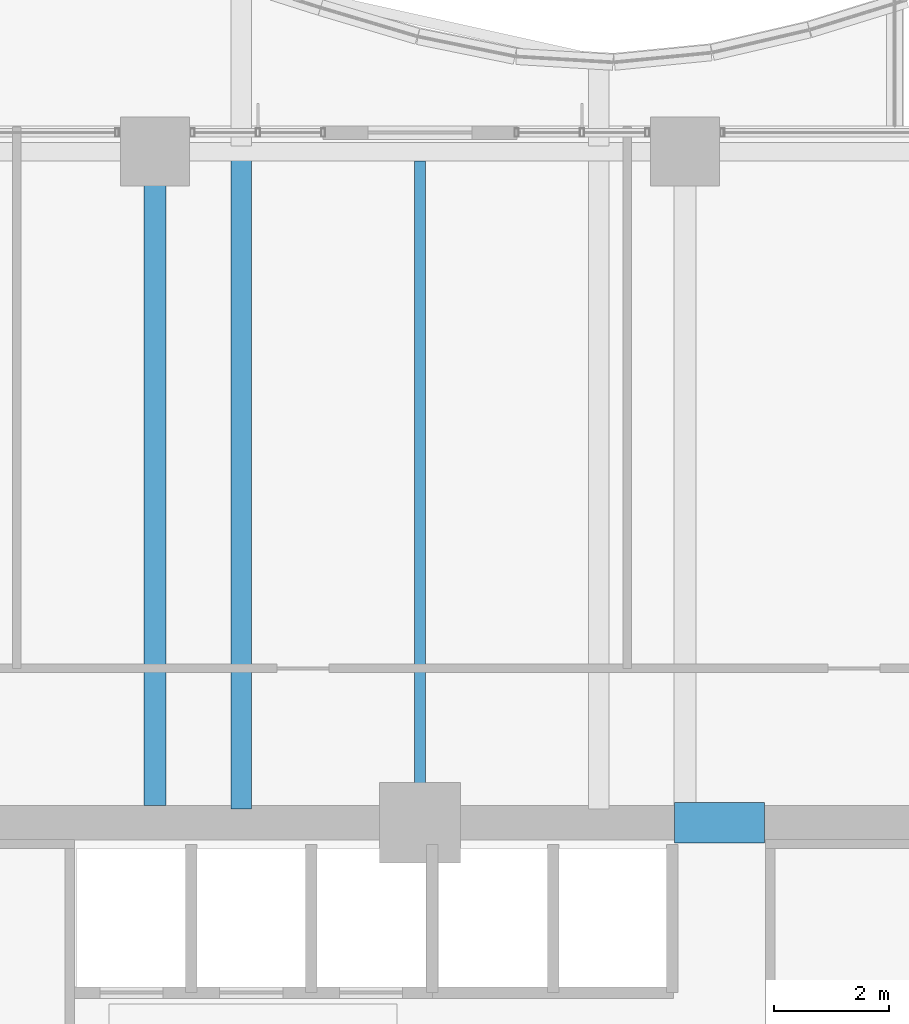
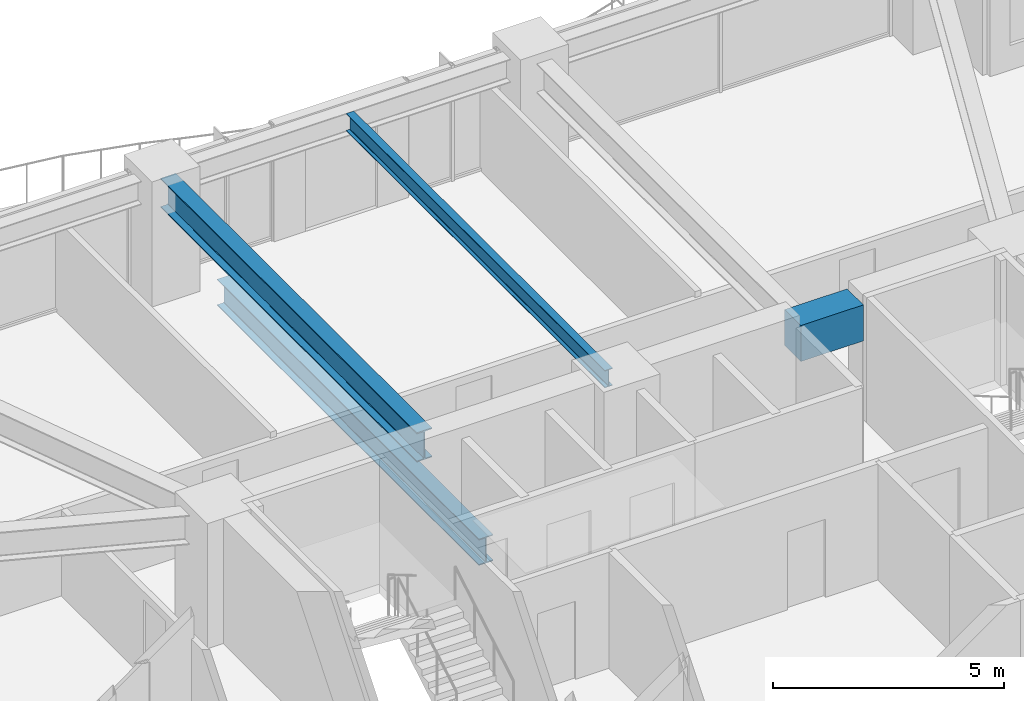
# One storey, part 20 of 38: 4 beams.
"""IFC4 building model written with IfcOpenShell, lengths in metres."""

import ifcopenshell
import ifcopenshell.guid

model = None  # the IFC model being written
_history = None  # IfcOwnerHistory: only IFC2X3 demands one
_inside = {}  # id of a spatial element -> (the spatial element, [elements in it])
_under = {}  # id of a project, library or spatial element -> (it, [spatial elements below it])
_declared = {}  # id of a project -> (the project, [libraries it declares])
_typed = {}  # id of a type object -> (the type object, [elements of that type])
_made_of = {}  # id of a material, layer set ... -> (it, [elements and type objects made of it])


def new_model(schema):
    """Start an empty IFC model of exactly this schema.

    Asked for "IFC4X3", IfcOpenShell would pick the latest addendum, in which some entities
    have other attributes; the version numbers below select the first issue.
    IFC2X3 requires an IfcOwnerHistory on every rooted entity: one is made here for all.
    """
    global model, _history
    if schema == "IFC4X3":
        model = ifcopenshell.file(schema_version=(4, 3, 0, 0))
    else:
        model = ifcopenshell.file(schema=schema)
    _inside.clear()
    _under.clear()
    _declared.clear()
    _typed.clear()
    _made_of.clear()
    _history = None
    if model.schema == "IFC2X3":
        org = make("IfcOrganization", Name="unknown")
        user = make(
            "IfcPersonAndOrganization",
            ThePerson=make("IfcPerson", FamilyName="unknown"),
            TheOrganization=org,
        )
        app = make(
            "IfcApplication",
            ApplicationDeveloper=org,
            Version="unknown",
            ApplicationFullName="unknown",
            ApplicationIdentifier="unknown",
        )
        _history = make(
            "IfcOwnerHistory",
            OwningUser=user,
            OwningApplication=app,
            ChangeAction="ADDED",
            CreationDate=0,
        )
    return model


def make(cls, **values):
    """One entity of the class cls with the attributes given. An attribute that is None is left unset."""
    return model.create_entity(
        cls, **{name: value for name, value in values.items() if value is not None}
    )


def rooted(cls, **values):
    """An entity with a GlobalId (a new one), such as an element, a storey or a relation."""
    return make(cls, GlobalId=ifcopenshell.guid.new(), OwnerHistory=_history, **values)


def si_unit(unit_type, name, prefix=None):
    """IfcSIUnit, for example si_unit("LENGTHUNIT", "METRE", prefix="MILLI")."""
    return make("IfcSIUnit", UnitType=unit_type, Prefix=prefix, Name=name)


def assignment(units):
    """IfcUnitAssignment: the units of a project."""
    return None if units is None else make("IfcUnitAssignment", Units=units)


def point(xyz):
    """IfcCartesianPoint."""
    return None if xyz is None else make("IfcCartesianPoint", Coordinates=xyz)


def direction(xyz):
    """IfcDirection."""
    return None if xyz is None else make("IfcDirection", DirectionRatios=xyz)


def frame(location, z_axis=None, x_axis=None):
    """IfcAxis2Placement3D, a coordinate frame: its origin and axes. An axis left out is left unset."""
    return make(
        "IfcAxis2Placement3D",
        Location=point(location),
        Axis=direction(z_axis),
        RefDirection=direction(x_axis),
    )


def frame_2d(location, x_axis=None):
    """IfcAxis2Placement2D, a coordinate frame in the plane: its origin and x axis."""
    return make(
        "IfcAxis2Placement2D", Location=point(location), RefDirection=direction(x_axis)
    )


def origin():
    """The frame at (0, 0, 0) with its axes left unset."""
    return frame((0.0, 0.0, 0.0))


def origin_2d():
    """The frame at (0, 0) in the plane with its x axis left unset."""
    return frame_2d((0.0, 0.0))


def place(relative_to, where):
    """IfcLocalPlacement: puts the frame where relative to a parent placement (None: the world)."""
    return make(
        "IfcLocalPlacement", PlacementRelTo=relative_to, RelativePlacement=where
    )


def context(
    kind, dimensions, precision=None, world=None, true_north=None, identifier=None
):
    """IfcGeometricRepresentationContext, for example the 3D "Model" context."""
    return make(
        "IfcGeometricRepresentationContext",
        ContextIdentifier=identifier,
        ContextType=kind,
        CoordinateSpaceDimension=dimensions,
        Precision=precision,
        WorldCoordinateSystem=world,
        TrueNorth=true_north,
    )


def subcontext(parent, identifier, kind, view, scale=None):
    """IfcGeometricRepresentationSubContext, for example "Body" below "Model"."""
    return make(
        "IfcGeometricRepresentationSubContext",
        ContextIdentifier=identifier,
        ContextType=kind,
        ParentContext=parent,
        TargetScale=scale,
        TargetView=view,
    )


def project(units=None, contexts=None):
    """IfcProject with its units and contexts."""
    return rooted(
        "IfcProject",
        Name="project",
        RepresentationContexts=contexts,
        UnitsInContext=assignment(units),
    )


def spatial(cls, under=None, at=None, **own):
    """A site, building, storey or space (cls), placed at a placement, below another one or the project."""
    s = rooted(cls, ObjectPlacement=at, **own)
    if under is not None:
        _under.setdefault(under.id(), (under, []))[1].append(s)
    return s


def profile(cls, at=None, kind="AREA", **sizes):
    """A parametric profile (cls). Its sizes go by their IFC names, for example OverallWidth=200.0."""
    return make(cls, ProfileType=kind, Position=at, **sizes)


def rectangle(**sizes):
    """IfcRectangleProfileDef."""
    return profile("IfcRectangleProfileDef", **sizes)


def i_section(**sizes):
    """IfcIShapeProfileDef."""
    return profile("IfcIShapeProfileDef", **sizes)


def extrude(swept, where, along, depth):
    """IfcExtrudedAreaSolid: the profile swept, set in the frame where, extruded along a direction by depth."""
    return make(
        "IfcExtrudedAreaSolid",
        SweptArea=swept,
        Position=where,
        ExtrudedDirection=direction(along),
        Depth=depth,
    )


def shape(context_of_items, identifier, shape_type, items):
    """IfcShapeRepresentation: the items that make up one representation, for example the "Body"."""
    return make(
        "IfcShapeRepresentation",
        ContextOfItems=context_of_items,
        RepresentationIdentifier=identifier,
        RepresentationType=shape_type,
        Items=items,
    )


def material(Name=None, Category=None):
    """IfcMaterial."""
    return make("IfcMaterial", Name=Name, Category=Category)


def material_profile(
    of_material, cross_section, Name=None, Category=None, Priority=None
):
    """IfcMaterialProfile: a cross section and its material."""
    return make(
        "IfcMaterialProfile",
        Name=Name,
        Material=of_material,
        Profile=cross_section,
        Priority=Priority,
        Category=Category,
    )


def profile_set(profiles, Name=None, composite=None):
    """IfcMaterialProfileSet."""
    return make(
        "IfcMaterialProfileSet",
        Name=Name,
        MaterialProfiles=profiles,
        CompositeProfile=composite,
    )


def made_of(thing, what):
    """Note that an element or type object is made of a material, layer set ...; save() writes the relation."""
    if what is not None:
        _made_of.setdefault(what.id(), (what, []))[1].append(thing)
    return thing


def type_object(cls, material=None, **own):
    """A type object (cls), such as IfcWallType, which elements share."""
    return made_of(rooted(cls, **own), material)


def element(
    cls,
    number,
    at=None,
    inside=None,
    cuts=None,
    type_object=None,
    material=None,
    context=None,
    identifier="Body",
    shape_type=None,
    held_by="IfcProductDefinitionShape",
    body=None,
    shapes=None,
    **own,
):
    """One element of the class cls, such as IfcWall. Its Tag is "e" and its number.

    at: its placement. inside: the storey or other place that contains it. cuts: it is an
    opening in that element (IfcRelVoidsElement). A single representation is given by context,
    identifier, shape_type and body (its items); several are given by shapes. held_by: the class
    of the entity that holds the representations. save() writes the other relations.
    """
    e = rooted(cls, Tag="e%d" % number, ObjectPlacement=at, **own)
    if body is not None:
        shapes = [shape(context, identifier, shape_type, body)]
    if shapes is not None:
        e.Representation = make(held_by, Representations=shapes)
    if inside is not None:
        _inside.setdefault(inside.id(), (inside, []))[1].append(e)
    if cuts is not None:
        rooted(
            "IfcRelVoidsElement", RelatingBuildingElement=cuts, RelatedOpeningElement=e
        )
    if type_object is not None:
        _typed.setdefault(type_object.id(), (type_object, []))[1].append(e)
    return made_of(e, material)


def aggregate(whole, parts):
    """IfcRelAggregates: a whole, such as a stair, and the parts it consists of."""
    return rooted("IfcRelAggregates", RelatingObject=whole, RelatedObjects=parts)


def save(model, path):
    """Write the relations noted so far, then the file.

    IfcRelAggregates (storeys below a building ...), IfcRelContainedInSpatialStructure (elements
    in a storey), IfcRelDefinesByType, IfcRelAssociatesMaterial and IfcRelDeclares: one each for
    every whole, place, type object, material and project.
    """
    for whole, parts in _under.values():
        aggregate(whole, parts)
    for where, things in _inside.values():
        rooted(
            "IfcRelContainedInSpatialStructure",
            RelatedElements=things,
            RelatingStructure=where,
        )
    for kind, things in _typed.values():
        rooted("IfcRelDefinesByType", RelatedObjects=things, RelatingType=kind)
    for what, things in _made_of.values():
        rooted("IfcRelAssociatesMaterial", RelatedObjects=things, RelatingMaterial=what)
    for by, libraries in _declared.values():
        rooted("IfcRelDeclares", RelatingContext=by, RelatedDefinitions=libraries)
    model.write(path)


model = new_model("IFC4")

# Units and contexts
model_context = context("Model", 3, precision=1e-05, world=origin(), true_north=direction((0.0, 1.0)))
body_context = subcontext(model_context, "Body", "Model", "MODEL_VIEW")
ifc_project = project(units=[si_unit("LENGTHUNIT", "METRE"), si_unit("AREAUNIT", "SQUARE_METRE"), si_unit("VOLUMEUNIT", "CUBIC_METRE"), si_unit("PLANEANGLEUNIT", "RADIAN"), si_unit("MASSUNIT", "GRAM", prefix="KILO")], contexts=[model_context])

# Site, building, storey
site_placement = place(None, origin())
site = spatial("IfcSite", under=ifc_project, at=site_placement, CompositionType="ELEMENT")
building_placement = place(site_placement, origin())
building = spatial("IfcBuilding", under=site, at=building_placement, Name="Kolvaren Belvedere", CompositionType="ELEMENT")
storey_placement = place(building_placement, frame((0.0, 0.0, 30.39990234375)))
storey = spatial("IfcBuildingStorey", under=building, at=storey_placement, Name="L08", CompositionType="ELEMENT", Elevation=30.39990234375)

# Beams
ifc_material_1 = material(Name="Structural steel ASTM A992 Grade 50", Category="steel")
ifc_material_profile_1 = material_profile(ifc_material_1, i_section(OverallWidth=0.35498046875, OverallDepth=0.696044921875, WebThickness=0.015380859375, FlangeThickness=0.02490234375, FilletRadius=0.02197265625, at=origin_2d()), Name="W27X146")
ifc_profile_set_1 = profile_set([ifc_material_profile_1], Name="Structural steel ASTM A992 Grade 50")
beam_type_1 = type_object("IfcBeamType", Name="BM-GIRD-W27X146", PredefinedType="BEAM", material=ifc_profile_set_1)
beam_1_placement = place(storey_placement, frame((-3.10009765625, 10.139892578125, -0.587890625), z_axis=(0.0, 1.0, 0.0), x_axis=(-1.0, 0.0, 0.0)))
element("IfcBeam", 1, at=beam_1_placement, inside=storey, type_object=beam_type_1, Name="L08 Balcony Interior Back-Span Girder BAL-N-1", PredefinedType="BEAM", context=body_context, shape_type="SweptSolid", body=[
    extrude(i_section(OverallWidth=0.35498046875, OverallDepth=0.696044921875, WebThickness=0.015380859375, FlangeThickness=0.02490234375, FilletRadius=0.02197265625, at=origin_2d()), origin(), (0.0, 0.0, 1.0), 11.315185546875),
])
ifc_material_2 = material(Name="Structural steel ASTM A992 Grade 50", Category="steel")
ifc_material_profile_2 = material_profile(ifc_material_2, i_section(OverallWidth=0.381103515625, OverallDepth=0.77294921875, WebThickness=0.0166015625, FlangeThickness=0.027099609375, FilletRadius=0.02392578125, at=origin_2d()), Name="W30X173")
ifc_profile_set_2 = profile_set([ifc_material_profile_2], Name="Structural steel ASTM A992 Grade 50")
beam_type_2 = type_object("IfcBeamType", Name="BM-GIRD-W30X173", PredefinedType="BEAM", material=ifc_profile_set_2)
beam_2_placement = place(storey_placement, frame((-4.60009765625, 10.199951171875, 2.673583984375), z_axis=(0.0, 1.0, 0.0), x_axis=(-1.0, 0.0, 0.0)))
element("IfcBeam", 2, at=beam_2_placement, inside=storey, type_object=beam_type_2, Name="L08 North Radial Girder M", PredefinedType="BEAM", context=body_context, shape_type="SweptSolid", body=[
    extrude(i_section(OverallWidth=0.381103515625, OverallDepth=0.77294921875, WebThickness=0.0166015625, FlangeThickness=0.027099609375, FilletRadius=0.02392578125, at=origin_2d()), origin(), (0.0, 0.0, 1.0), 11.080078125),
])
ifc_material_3 = material(Name="Structural steel ASTM A992 Grade 50", Category="steel")
ifc_material_profile_3 = material_profile(ifc_material_3, i_section(OverallWidth=0.19091796875, OverallDepth=0.4599609375, WebThickness=0.010009765625, FlangeThickness=0.01611328125, FilletRadius=0.014892578125, at=origin_2d()), Name="W18X55")
ifc_profile_set_3 = profile_set([ifc_material_profile_3], Name="Structural steel ASTM A992 Grade 50")
beam_type_3 = type_object("IfcBeamType", Name="BM-JOIST-W18X55", PredefinedType="BEAM", material=ifc_profile_set_3)
beam_3_placement = place(storey_placement, frame((0.0, 10.199951171875, 2.830078125), z_axis=(0.0, 1.0, 0.0), x_axis=(-1.0, 0.0, 0.0)))
element("IfcBeam", 3, at=beam_3_placement, inside=storey, type_object=beam_type_3, Name="L08 North Centre Floor Beam", PredefinedType="BEAM", context=body_context, shape_type="SweptSolid", body=[
    extrude(i_section(OverallWidth=0.19091796875, OverallDepth=0.4599609375, WebThickness=0.010009765625, FlangeThickness=0.01611328125, FilletRadius=0.014892578125, at=origin_2d()), origin(), (0.0, 0.0, 1.0), 11.1875),
])
ifc_material_4 = material(Name="Concrete C60/75", Category="concrete")
ifc_material_profile_4 = material_profile(ifc_material_4, rectangle(XDim=0.699951171875, YDim=0.949951171875, at=origin_2d()), Name="RC 700X950")
ifc_profile_set_4 = profile_set([ifc_material_profile_4], Name="Concrete C60/75")
beam_type_4 = type_object("IfcBeamType", Name="BM-LINT-950", PredefinedType="LINTEL", material=ifc_profile_set_4)
beam_4_placement = place(storey_placement, frame((4.419921875, 9.89990234375, 2.585205078125), z_axis=(1.0, 0.0, 0.0), x_axis=(0.0, 1.0, 0.0)))
element("IfcBeam", 4, at=beam_4_placement, inside=storey, type_object=beam_type_4, Name="L08 North Core Coupling Lintel", PredefinedType="LINTEL", context=body_context, shape_type="SweptSolid", body=[
    extrude(rectangle(XDim=0.699951171875, YDim=0.949951171875, at=origin_2d()), origin(), (0.0, 0.0, 1.0), 1.56005859375),
])

save(model, "model.ifc")
